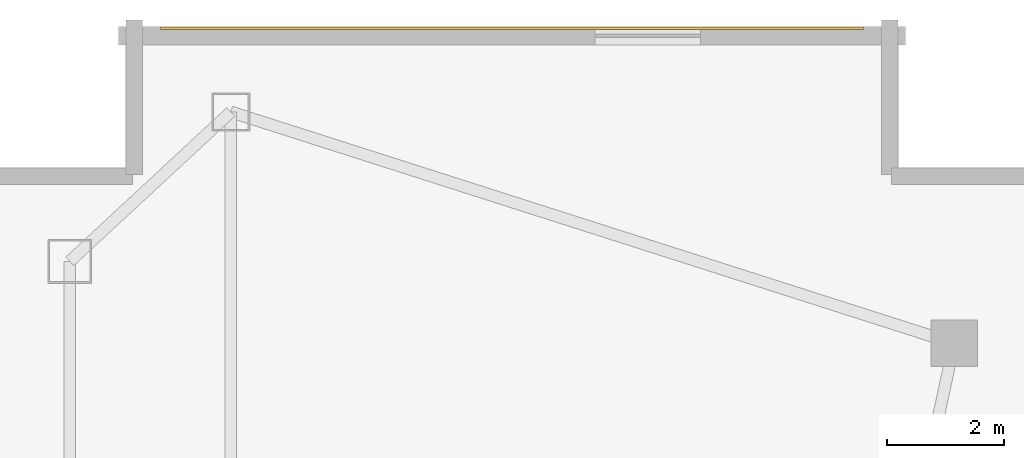
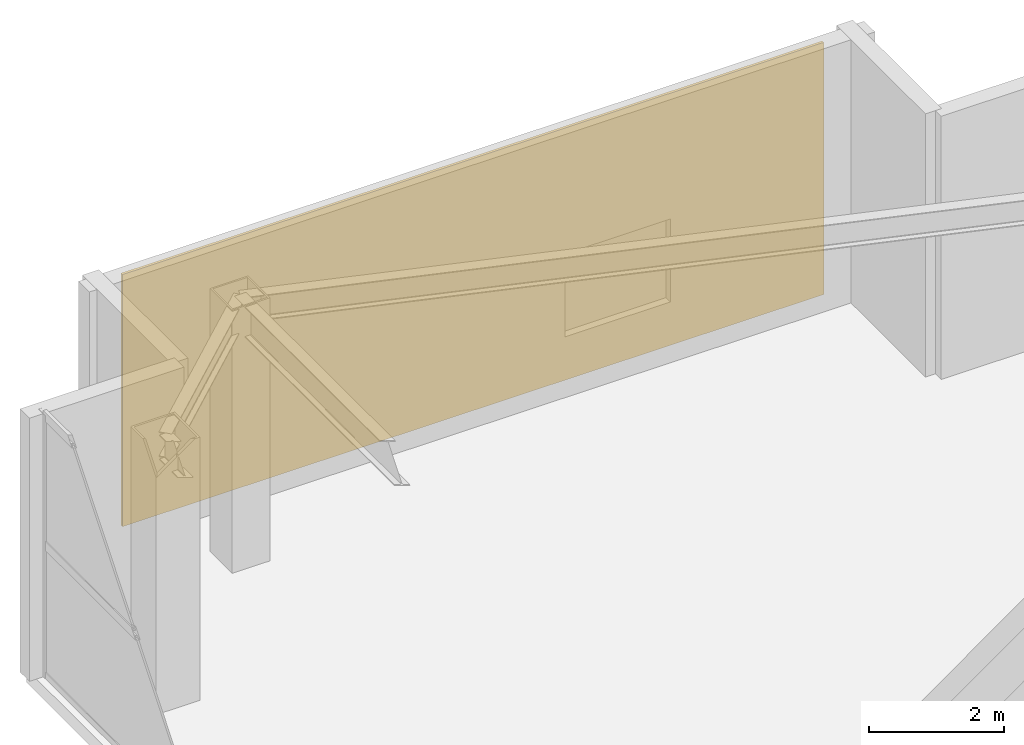
# One storey, part 21 of 21: 1 covering.
"""IFC4 building model written with IfcOpenShell, lengths in metres."""

from ifc_helpers import new_model, si_unit, direction, frame, origin, origin_2d, place, context, subcontext, project, spatial, rectangle, extrude, material, layer, layer_set, type_object, element, save


model = new_model("IFC4")

# Units and contexts
model_context = context("Model", 3, precision=1e-05, world=origin(), true_north=direction((0.0, 1.0)))
body_context = subcontext(model_context, "Body", "Model", "MODEL_VIEW")
ifc_project = project(units=[si_unit("LENGTHUNIT", "METRE"), si_unit("AREAUNIT", "SQUARE_METRE"), si_unit("VOLUMEUNIT", "CUBIC_METRE"), si_unit("PLANEANGLEUNIT", "RADIAN"), si_unit("MASSUNIT", "GRAM", prefix="KILO")], contexts=[model_context])

# Site, building, storey
site_placement = place(None, origin())
site = spatial("IfcSite", under=ifc_project, at=site_placement, CompositionType="ELEMENT")
building_placement = place(site_placement, origin())
building = spatial("IfcBuilding", under=site, at=building_placement, Name="Calvorn Quay Hotel", CompositionType="ELEMENT")
storey_placement = place(building_placement, frame((0.0, 0.0, 320.5)))
storey = spatial("IfcBuildingStorey", under=building, at=storey_placement, Name="L79", CompositionType="ELEMENT", Elevation=320.5)

# Covering
ifc_material = material(Name="Pale Anodised Aluminium Rainscreen Cladding", Category="aluminium")
ifc_layer = layer(ifc_material, 0.044921875)
ifc_layer_set = layer_set([ifc_layer], Name="COV-CROWN-CLAD")
covering_type = type_object("IfcCoveringType", Name="COV-CROWN-CLAD", PredefinedType="CLADDING", material=ifc_layer_set)
covering_placement = place(storey_placement, frame((9.0, 50.97998046875, 0.099853515625), z_axis=(0.0, 0.0, 1.0), x_axis=(1.0, 0.0, 0.0)))
element("IfcCovering", 1, at=covering_placement, inside=storey, type_object=covering_type, Name="Crown Pale-Metal Cladding (L79)", PredefinedType="CLADDING", context=body_context, shape_type="SweptSolid", body=[
    extrude(rectangle(XDim=12.0, YDim=0.044921875, at=origin_2d()), origin(), (0.0, 0.0, 1.0), 4.56005859375),
])

save(model, "model.ifc")
